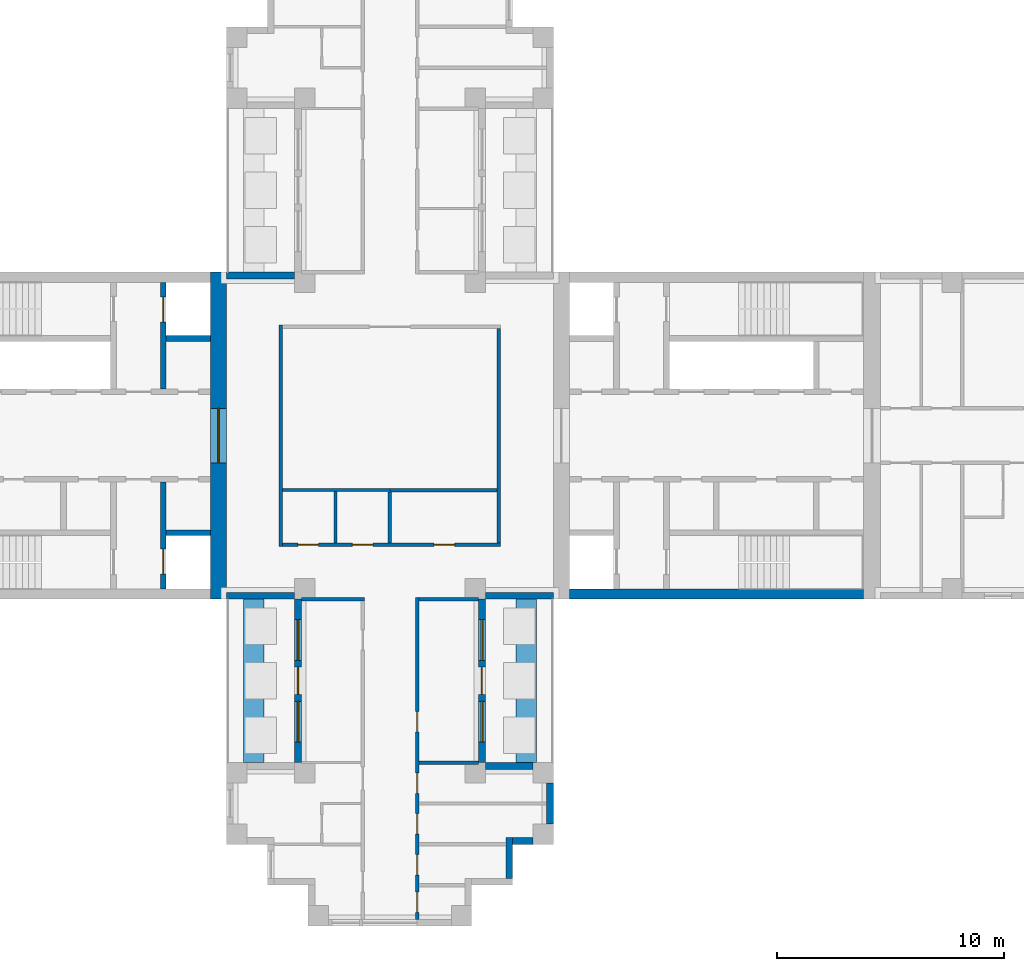
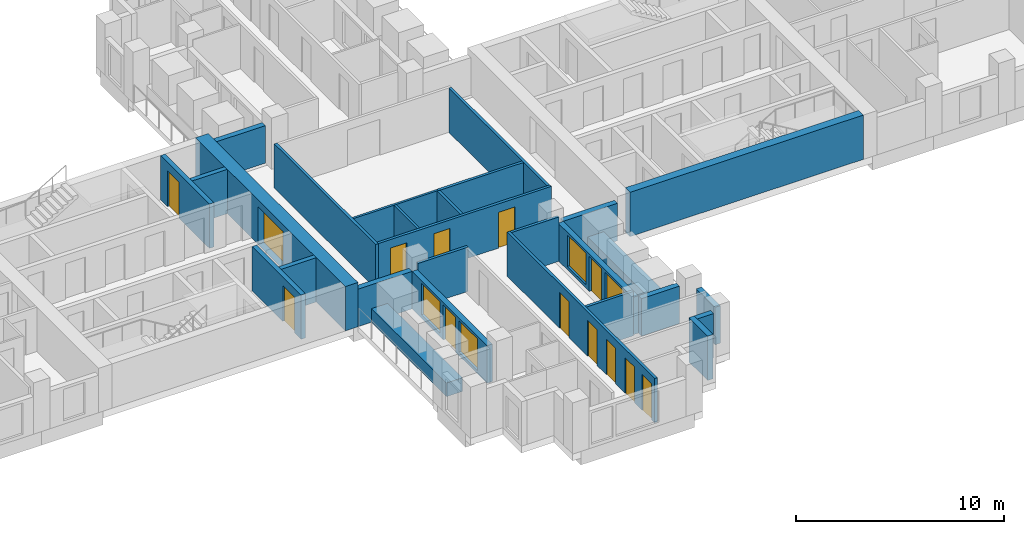
# One storey, part 5 of 11: 28 walls, 13 doors, 4 windows, 17 openings.
"""IFC4 building model written with IfcOpenShell, lengths in metres."""

from ifc_helpers import new_model, si_unit, direction, frame, frame_2d, origin, place, context, subcontext, project, spatial, rectangle, extrude, material, layer, layer_set, type_object, element, fill, save


model = new_model("IFC4")

# Units and contexts
model_context = context("Model", 3, precision=1e-05, world=origin(), true_north=direction((0.0, 1.0)))
body_context = subcontext(model_context, "Body", "Model", "MODEL_VIEW")
ifc_project = project(units=[si_unit("LENGTHUNIT", "METRE"), si_unit("AREAUNIT", "SQUARE_METRE"), si_unit("VOLUMEUNIT", "CUBIC_METRE"), si_unit("PLANEANGLEUNIT", "RADIAN"), si_unit("MASSUNIT", "GRAM", prefix="KILO")], contexts=[model_context])

# Site, building, storey
site_placement = place(None, origin())
site = spatial("IfcSite", under=ifc_project, at=site_placement, CompositionType="ELEMENT")
building_placement = place(site_placement, origin())
building = spatial("IfcBuilding", under=site, at=building_placement, Name="Fustian Cross Tower", CompositionType="ELEMENT")
storey_placement = place(building_placement, frame((0.0, 0.0, 126.300048828125)))
storey = spatial("IfcBuildingStorey", under=building, at=storey_placement, Name="L39", CompositionType="ELEMENT", Elevation=126.300048828125)

# Wall
ifc_material_1 = material(Name="Plasterboard on steel stud", Category="steel")
ifc_layer_1 = layer(ifc_material_1, 0.14990234375)
ifc_layer_set_1 = layer_set([ifc_layer_1], Name="Plasterboard on steel stud")
wall_type_1 = type_object("IfcWallType", Name="COMPARTMENT WALL 150 EI 60", PredefinedType="PARTITIONING", material=ifc_layer_set_1)
wall_1_placement = place(storey_placement, frame((-4.800048828125, -4.875, 0.0), z_axis=(0.0, 0.0, 1.0), x_axis=(0.0, 1.0, 0.0)))
element("IfcWall", 1, at=wall_1_placement, inside=storey, type_object=wall_type_1, Name="Partition 17", PredefinedType="PARTITIONING", context=body_context, shape_type="SweptSolid", body=[
    extrude(rectangle(XDim=9.75, YDim=0.14990234375, at=frame_2d((4.875, 0.0))), origin(), (0.0, 0.0, 1.0), 2.599853515625),
])

# Wall, openings, doors
wall_2_placement = place(storey_placement, frame((-4.72509765625, -4.800048828125, 0.0), z_axis=(0.0, 0.0, 1.0), x_axis=(1.0, 0.0, 0.0)))
wall_2 = element("IfcWall", 2, at=wall_2_placement, inside=storey, type_object=wall_type_1, Name="Partition 18", PredefinedType="PARTITIONING", context=body_context, shape_type="SweptSolid", body=[
    extrude(rectangle(XDim=9.60009765625, YDim=0.14990234375, at=frame_2d((4.800048828125, 0.0))), origin(), (0.0, 0.0, 1.0), 2.599853515625),
])
opening_1_placement = place(wall_2_placement, frame((0.675048828125, 0.0, 0.0)))
opening_1 = element("IfcOpeningElement", 3, at=opening_1_placement, cuts=wall_2, Name="Opening D18001", PredefinedType="OPENING", context=body_context, shape_type="SweptSolid", body=[
    extrude(rectangle(XDim=0.89990234375, YDim=2.10009765625, at=frame_2d((0.449951171875, 1.050048828125))), frame((0.0, 0.0849609375, 0.0), z_axis=(0.0, -1.0, 0.0), x_axis=(1.0, 0.0, 0.0)), (0.0, 0.0, 1.0), 0.169921875),
])
opening_2_placement = place(wall_2_placement, frame((3.074951171875, 0.0, 0.0)))
opening_2 = element("IfcOpeningElement", 4, at=opening_2_placement, cuts=wall_2, Name="Opening D18002", PredefinedType="OPENING", context=body_context, shape_type="SweptSolid", body=[
    extrude(rectangle(XDim=0.89990234375, YDim=2.10009765625, at=frame_2d((0.449951171875, 1.050048828125))), frame((0.0, 0.0849609375, 0.0), z_axis=(0.0, -1.0, 0.0), x_axis=(1.0, 0.0, 0.0)), (0.0, 0.0, 1.0), 0.169921875),
])
opening_3_placement = place(wall_2_placement, frame((6.675048828125, 0.0, 0.0)))
opening_3 = element("IfcOpeningElement", 5, at=opening_3_placement, cuts=wall_2, Name="Opening D18003", PredefinedType="OPENING", context=body_context, shape_type="SweptSolid", body=[
    extrude(rectangle(XDim=0.89990234375, YDim=2.10009765625, at=frame_2d((0.449951171875, 1.050048828125))), frame((0.0, 0.0849609375, 0.0), z_axis=(0.0, -1.0, 0.0), x_axis=(1.0, 0.0, 0.0)), (0.0, 0.0, 1.0), 0.169921875),
])
ifc_material_2 = material(Name="Timber fire door set", Category="wood")
door_type_1 = type_object("IfcDoorType", Name="FIRE SWING DOOR 900 FD30S", OperationType="SINGLE_SWING_LEFT", PredefinedType="DOOR", material=ifc_material_2)
door_1_placement = place(opening_1_placement, origin())
door_1 = element("IfcDoor", 6, at=door_1_placement, inside=storey, type_object=door_type_1, Name="Door D18001", OperationType="SINGLE_SWING_LEFT", OverallHeight=2.10009765625, OverallWidth=0.89990234375, PredefinedType="DOOR", context=body_context, shape_type="SweptSolid", body=[
    extrude(rectangle(XDim=0.89990234375, YDim=2.10009765625, at=frame_2d((0.449951171875, 1.050048828125))), frame((0.0, 0.02490234375, 0.0), z_axis=(0.0, -1.0, 0.0), x_axis=(1.0, 0.0, 0.0)), (0.0, 0.0, 1.0), 0.050048828125),
])
fill(opening_1, door_1)
door_2_placement = place(opening_2_placement, origin())
door_2 = element("IfcDoor", 7, at=door_2_placement, inside=storey, type_object=door_type_1, Name="Door D18002", OperationType="SINGLE_SWING_LEFT", OverallHeight=2.10009765625, OverallWidth=0.89990234375, PredefinedType="DOOR", context=body_context, shape_type="SweptSolid", body=[
    extrude(rectangle(XDim=0.89990234375, YDim=2.10009765625, at=frame_2d((0.449951171875, 1.050048828125))), frame((0.0, 0.02490234375, 0.0), z_axis=(0.0, -1.0, 0.0), x_axis=(1.0, 0.0, 0.0)), (0.0, 0.0, 1.0), 0.050048828125),
])
fill(opening_2, door_2)
door_3_placement = place(opening_3_placement, origin())
door_3 = element("IfcDoor", 8, at=door_3_placement, inside=storey, type_object=door_type_1, Name="Door D18003", OperationType="SINGLE_SWING_LEFT", OverallHeight=2.10009765625, OverallWidth=0.89990234375, PredefinedType="DOOR", context=body_context, shape_type="SweptSolid", body=[
    extrude(rectangle(XDim=0.89990234375, YDim=2.10009765625, at=frame_2d((0.449951171875, 1.050048828125))), frame((0.0, 0.02490234375, 0.0), z_axis=(0.0, -1.0, 0.0), x_axis=(1.0, 0.0, 0.0)), (0.0, 0.0, 1.0), 0.050048828125),
])
fill(opening_3, door_3)

# Walls
wall_3_placement = place(storey_placement, frame((-3.89990234375, -7.199951171875, 0.0), z_axis=(0.0, 0.0, 1.0), x_axis=(1.0, 0.0, 0.0)))
element("IfcWall", 9, at=wall_3_placement, inside=storey, type_object=wall_type_1, Name="Partition 22", PredefinedType="PARTITIONING", context=body_context, shape_type="SweptSolid", body=[
    extrude(rectangle(XDim=2.77490234375, YDim=0.14990234375, at=frame_2d((1.387451171875, 0.0))), origin(), (0.0, 0.0, 1.0), 2.599853515625),
])
wall_4_placement = place(storey_placement, frame((0.0, -4.72509765625, 0.0), z_axis=(0.0, 0.0, 1.0), x_axis=(0.0, 1.0, 0.0)))
element("IfcWall", 10, at=wall_4_placement, inside=storey, type_object=wall_type_1, Name="Partition 34", PredefinedType="PARTITIONING", context=body_context, shape_type="SweptSolid", body=[
    extrude(rectangle(XDim=2.25, YDim=0.14990234375, at=frame_2d((1.125, 0.0))), origin(), (0.0, 0.0, 1.0), 2.599853515625),
])
wall_5_placement = place(storey_placement, frame((0.0, -2.39990234375, 0.0), z_axis=(0.0, 0.0, 1.0), x_axis=(1.0, 0.0, 0.0)))
element("IfcWall", 11, at=wall_5_placement, inside=storey, type_object=wall_type_1, Name="Partition 35", PredefinedType="PARTITIONING", context=body_context, shape_type="SweptSolid", body=[
    extrude(rectangle(XDim=4.72509765625, YDim=0.14990234375, at=frame_2d((2.362548828125, 0.0))), origin(), (0.0, 0.0, 1.0), 2.599853515625),
])

# Wall, openings, doors
wall_6_placement = place(storey_placement, frame((1.199951171875, -21.300048828125, 0.0), z_axis=(0.0, 0.0, 1.0), x_axis=(0.0, 1.0, 0.0)))
wall_6 = element("IfcWall", 12, at=wall_6_placement, inside=storey, type_object=wall_type_1, Name="Partition 36", PredefinedType="PARTITIONING", context=body_context, shape_type="SweptSolid", body=[
    extrude(rectangle(XDim=14.175048828125, YDim=0.14990234375, at=frame_2d((7.08740234375, 0.0))), origin(), (0.0, 0.0, 1.0), 2.599853515625),
])
opening_4_placement = place(wall_6_placement, frame((8.25, 0.0, 0.0)))
opening_4 = element("IfcOpeningElement", 13, at=opening_4_placement, cuts=wall_6, Name="Opening D18033", PredefinedType="OPENING", context=body_context, shape_type="SweptSolid", body=[
    extrude(rectangle(XDim=0.89990234375, YDim=2.10009765625, at=frame_2d((0.449951171875, 1.050048828125))), frame((0.0, 0.0849609375, 0.0), z_axis=(0.0, -1.0, 0.0), x_axis=(1.0, 0.0, 0.0)), (0.0, 0.0, 1.0), 0.169921875),
])
opening_5_placement = place(wall_6_placement, frame((5.550048828125, 0.0, 0.0)))
opening_5 = element("IfcOpeningElement", 14, at=opening_5_placement, cuts=wall_6, Name="Opening D18034", PredefinedType="OPENING", context=body_context, shape_type="SweptSolid", body=[
    extrude(rectangle(XDim=0.89990234375, YDim=2.10009765625, at=frame_2d((0.449951171875, 1.050048828125))), frame((0.0, 0.0849609375, 0.0), z_axis=(0.0, -1.0, 0.0), x_axis=(1.0, 0.0, 0.0)), (0.0, 0.0, 1.0), 0.169921875),
])
opening_6_placement = place(wall_6_placement, frame((3.75, 0.0, 0.0)))
opening_6 = element("IfcOpeningElement", 15, at=opening_6_placement, cuts=wall_6, Name="Opening D18035", PredefinedType="OPENING", context=body_context, shape_type="SweptSolid", body=[
    extrude(rectangle(XDim=0.89990234375, YDim=2.10009765625, at=frame_2d((0.449951171875, 1.050048828125))), frame((0.0, 0.0849609375, 0.0), z_axis=(0.0, -1.0, 0.0), x_axis=(1.0, 0.0, 0.0)), (0.0, 0.0, 1.0), 0.169921875),
])
opening_7_placement = place(wall_6_placement, frame((1.949951171875, 0.0, 0.0)))
opening_7 = element("IfcOpeningElement", 16, at=opening_7_placement, cuts=wall_6, Name="Opening D18036", PredefinedType="OPENING", context=body_context, shape_type="SweptSolid", body=[
    extrude(rectangle(XDim=0.89990234375, YDim=2.10009765625, at=frame_2d((0.449951171875, 1.050048828125))), frame((0.0, 0.0849609375, 0.0), z_axis=(0.0, -1.0, 0.0), x_axis=(1.0, 0.0, 0.0)), (0.0, 0.0, 1.0), 0.169921875),
])
opening_8_placement = place(wall_6_placement, frame((0.300048828125, 0.0, 0.0)))
opening_8 = element("IfcOpeningElement", 17, at=opening_8_placement, cuts=wall_6, Name="Opening D18037", PredefinedType="OPENING", context=body_context, shape_type="SweptSolid", body=[
    extrude(rectangle(XDim=0.89990234375, YDim=2.10009765625, at=frame_2d((0.449951171875, 1.050048828125))), frame((0.0, 0.0849609375, 0.0), z_axis=(0.0, -1.0, 0.0), x_axis=(1.0, 0.0, 0.0)), (0.0, 0.0, 1.0), 0.169921875),
])
door_4_placement = place(opening_4_placement, frame((0.89990234375, 0.0, 0.0), z_axis=(0.0, 0.0, 1.0), x_axis=(-1.0, 0.0, 0.0)))
door_4 = element("IfcDoor", 18, at=door_4_placement, inside=storey, type_object=door_type_1, Name="Door D18033", OperationType="SINGLE_SWING_RIGHT", OverallHeight=2.10009765625, OverallWidth=0.89990234375, PredefinedType="DOOR", context=body_context, shape_type="SweptSolid", body=[
    extrude(rectangle(XDim=0.89990234375, YDim=2.10009765625, at=frame_2d((0.449951171875, 1.050048828125))), frame((0.0, 0.02490234375, 0.0), z_axis=(0.0, -1.0, 0.0), x_axis=(1.0, 0.0, 0.0)), (0.0, 0.0, 1.0), 0.050048828125),
])
fill(opening_4, door_4)
door_5_placement = place(opening_5_placement, origin())
door_5 = element("IfcDoor", 19, at=door_5_placement, inside=storey, type_object=door_type_1, Name="Door D18034", OperationType="SINGLE_SWING_LEFT", OverallHeight=2.10009765625, OverallWidth=0.89990234375, PredefinedType="DOOR", context=body_context, shape_type="SweptSolid", body=[
    extrude(rectangle(XDim=0.89990234375, YDim=2.10009765625, at=frame_2d((0.449951171875, 1.050048828125))), frame((0.0, 0.02490234375, 0.0), z_axis=(0.0, -1.0, 0.0), x_axis=(1.0, 0.0, 0.0)), (0.0, 0.0, 1.0), 0.050048828125),
])
fill(opening_5, door_5)
door_6_placement = place(opening_6_placement, frame((0.89990234375, 0.0, 0.0), z_axis=(0.0, 0.0, 1.0), x_axis=(-1.0, 0.0, 0.0)))
door_6 = element("IfcDoor", 20, at=door_6_placement, inside=storey, type_object=door_type_1, Name="Door D18035", OperationType="SINGLE_SWING_LEFT", OverallHeight=2.10009765625, OverallWidth=0.89990234375, PredefinedType="DOOR", context=body_context, shape_type="SweptSolid", body=[
    extrude(rectangle(XDim=0.89990234375, YDim=2.10009765625, at=frame_2d((0.449951171875, 1.050048828125))), frame((0.0, 0.02490234375, 0.0), z_axis=(0.0, -1.0, 0.0), x_axis=(1.0, 0.0, 0.0)), (0.0, 0.0, 1.0), 0.050048828125),
])
fill(opening_6, door_6)
door_7_placement = place(opening_7_placement, frame((0.89990234375, 0.0, 0.0), z_axis=(0.0, 0.0, 1.0), x_axis=(-1.0, 0.0, 0.0)))
door_7 = element("IfcDoor", 21, at=door_7_placement, inside=storey, type_object=door_type_1, Name="Door D18036", OperationType="SINGLE_SWING_LEFT", OverallHeight=2.10009765625, OverallWidth=0.89990234375, PredefinedType="DOOR", context=body_context, shape_type="SweptSolid", body=[
    extrude(rectangle(XDim=0.89990234375, YDim=2.10009765625, at=frame_2d((0.449951171875, 1.050048828125))), frame((0.0, 0.02490234375, 0.0), z_axis=(0.0, -1.0, 0.0), x_axis=(1.0, 0.0, 0.0)), (0.0, 0.0, 1.0), 0.050048828125),
])
fill(opening_7, door_7)
door_8_placement = place(opening_8_placement, frame((0.89990234375, 0.0, 0.0), z_axis=(0.0, 0.0, 1.0), x_axis=(-1.0, 0.0, 0.0)))
door_8 = element("IfcDoor", 22, at=door_8_placement, inside=storey, type_object=door_type_1, Name="Door D18037", OperationType="SINGLE_SWING_RIGHT", OverallHeight=2.10009765625, OverallWidth=0.89990234375, PredefinedType="DOOR", context=body_context, shape_type="SweptSolid", body=[
    extrude(rectangle(XDim=0.89990234375, YDim=2.10009765625, at=frame_2d((0.449951171875, 1.050048828125))), frame((0.0, 0.02490234375, 0.0), z_axis=(0.0, -1.0, 0.0), x_axis=(1.0, 0.0, 0.0)), (0.0, 0.0, 1.0), 0.050048828125),
])
fill(opening_8, door_8)

# Walls
for number, where, z_axis, x_axis, name in (
    (23, (1.27490234375, -14.39990234375, 0.0), (0.0, 0.0, 1.0), (1.0, 0.0, 0.0), "Partition 40"),
    (24, (1.27490234375, -7.199951171875, 0.0), (0.0, 0.0, 1.0), (1.0, 0.0, 0.0), "Partition 41"),
):
    element("IfcWall", number, at=place(storey_placement, frame(where, z_axis=z_axis, x_axis=x_axis)), inside=storey, type_object=wall_type_1, Name=name, PredefinedType="PARTITIONING", context=body_context, shape_type="SweptSolid", body=[
        extrude(rectangle(XDim=2.625, YDim=0.14990234375, at=frame_2d((1.3125, 0.0))), origin(), (0.0, 0.0, 1.0), 2.599853515625),
    ])
wall_7_placement = place(storey_placement, frame((4.800048828125, -4.72509765625, 0.0), z_axis=(0.0, 0.0, 1.0), x_axis=(0.0, 1.0, 0.0)))
element("IfcWall", 25, at=wall_7_placement, inside=storey, type_object=wall_type_1, Name="Partition 48", PredefinedType="PARTITIONING", context=body_context, shape_type="SweptSolid", body=[
    extrude(rectangle(XDim=9.4501953125, YDim=0.14990234375, at=frame_2d((4.72509765625, 0.0))), origin(), (0.0, 0.0, 1.0), 2.599853515625),
])

# Wall, opening, door
ifc_material_3 = material(Name="Concrete C60/75", Category="concrete")
ifc_layer_2 = layer(ifc_material_3, 0.699951171875)
ifc_layer_set_2 = layer_set([ifc_layer_2], Name="Concrete C60/75")
wall_type_2 = type_object("IfcWallType", Name="CORE END WALL 700 C60/75", PredefinedType="SHEAR", material=ifc_layer_set_2)
wall_8_placement = place(storey_placement, frame((-7.550048828125, -7.199951171875, 0.0), z_axis=(0.0, 0.0, 1.0), x_axis=(0.0, 1.0, 0.0)))
wall_8 = element("IfcWall", 26, at=wall_8_placement, inside=storey, type_object=wall_type_2, Name="Core end wall", PredefinedType="SHEAR", context=body_context, shape_type="SweptSolid", body=[
    extrude(rectangle(XDim=14.39990234375, YDim=0.699951171875, at=frame_2d((7.199951171875, 0.0))), origin(), (0.0, 0.0, 1.0), 2.599853515625),
])
opening_9_placement = place(wall_8_placement, frame((6.0, 0.0, 0.0)))
opening_9 = element("IfcOpeningElement", 27, at=opening_9_placement, cuts=wall_8, Name="Opening CD-16-29", PredefinedType="OPENING", context=body_context, shape_type="SweptSolid", body=[
    extrude(rectangle(XDim=2.39990234375, YDim=2.199951171875, at=frame_2d((1.199951171875, 1.10009765625))), frame((0.0, 0.35986328125, 0.0), z_axis=(0.0, -1.0, 0.0), x_axis=(1.0, 0.0, 0.0)), (0.0, 0.0, 1.0), 0.719970703125),
])
ifc_material_4 = material(Name="Steel", Category="steel")
door_type_2 = type_object("IfcDoorType", Name="FIRE DOOR FD30S DOUBLE 2400X2200", OperationType="DOUBLE_DOOR_DOUBLE_SWING", PredefinedType="DOOR", material=ifc_material_4)
door_9_placement = place(opening_9_placement, origin())
door_9 = element("IfcDoor", 28, at=door_9_placement, inside=storey, type_object=door_type_2, Name="Core door CD-16-29", OperationType="DOUBLE_DOOR_DOUBLE_SWING", OverallHeight=2.199951171875, OverallWidth=2.39990234375, PredefinedType="DOOR", context=body_context, shape_type="SweptSolid", body=[
    extrude(rectangle(XDim=2.39990234375, YDim=2.199951171875, at=frame_2d((1.199951171875, 1.10009765625))), frame((0.0, 0.02490234375, 0.0), z_axis=(0.0, -1.0, 0.0), x_axis=(1.0, 0.0, 0.0)), (0.0, 0.0, 1.0), 0.050048828125),
])
fill(opening_9, door_9)

# Walls
ifc_material_5 = material(Name="Concrete C60/75", Category="concrete")
ifc_layer_3 = layer(ifc_material_5, 0.449951171875)
ifc_layer_set_3 = layer_set([ifc_layer_3], Name="Concrete C60/75")
wall_type_3 = type_object("IfcWallType", Name="CORE FACADE WALL 450 C60/75", PredefinedType="SHEAR", material=ifc_layer_set_3)
wall_9_placement = place(storey_placement, frame((7.89990234375, -6.97509765625, 0.0), z_axis=(0.0, 0.0, 1.0), x_axis=(1.0, 0.0, 0.0)))
element("IfcWall", 29, at=wall_9_placement, inside=storey, type_object=wall_type_3, Name="Core facade wall", PredefinedType="SHEAR", context=body_context, shape_type="SweptSolid", body=[
    extrude(rectangle(XDim=12.9501953125, YDim=0.449951171875, at=frame_2d((6.47509765625, 0.0))), origin(), (0.0, 0.0, 1.0), 2.599853515625),
])
ifc_material_6 = material(Name="Concrete C50/60", Category="concrete")
ifc_layer_4 = layer(ifc_material_6, 0.25)
ifc_layer_set_4 = layer_set([ifc_layer_4], Name="Concrete C50/60")
wall_type_4 = type_object("IfcWallType", Name="CORE SHAFT WALL 250 C50/60", PredefinedType="SHEAR", material=ifc_layer_set_4)
wall_10_placement = place(storey_placement, frame((-7.89990234375, 4.27490234375, 0.0), z_axis=(0.0, 0.0, 1.0), x_axis=(-1.0, 0.0, 0.0)))
element("IfcWall", 30, at=wall_10_placement, inside=storey, type_object=wall_type_4, Name="Core shaft wall", PredefinedType="SHEAR", context=body_context, shape_type="SweptSolid", body=[
    extrude(rectangle(XDim=1.9501953125, YDim=0.25, at=frame_2d((0.97509765625, 0.0))), origin(), (0.0, 0.0, 1.0), 2.599853515625),
])

# Wall, opening, door
wall_11_placement = place(storey_placement, frame((-9.97509765625, 2.050048828125, 0.0), z_axis=(0.0, 0.0, 1.0), x_axis=(0.0, 1.0, 0.0)))
wall_11 = element("IfcWall", 31, at=wall_11_placement, inside=storey, type_object=wall_type_4, Name="Core shaft wall", PredefinedType="SHEAR", context=body_context, shape_type="SweptSolid", body=[
    extrude(rectangle(XDim=4.699951171875, YDim=0.25, at=frame_2d((2.35009765625, 0.0))), origin(), (0.0, 0.0, 1.0), 2.599853515625),
])
opening_10_placement = place(wall_11_placement, frame((2.949951171875, 0.0, 0.0)))
opening_10 = element("IfcOpeningElement", 32, at=opening_10_placement, cuts=wall_11, Name="Opening LD", PredefinedType="OPENING", context=body_context, shape_type="SweptSolid", body=[
    extrude(rectangle(XDim=1.10009765625, YDim=2.10009765625, at=frame_2d((0.550048828125, 1.050048828125))), frame((0.0, 0.135009765625, 0.0), z_axis=(0.0, -1.0, 0.0), x_axis=(1.0, 0.0, 0.0)), (0.0, 0.0, 1.0), 0.27001953125),
])
ifc_material_7 = material(Name="Stainless steel", Category="steel")
door_type_3 = type_object("IfcDoorType", Name="LIFT LANDING DOOR 1100X2100", OperationType="SLIDING_TO_LEFT", PredefinedType="DOOR", material=ifc_material_7)
door_10_placement = place(opening_10_placement, origin())
door_10 = element("IfcDoor", 33, at=door_10_placement, inside=storey, type_object=door_type_3, Name="Landing door FL1W", OperationType="SLIDING_TO_LEFT", OverallHeight=2.10009765625, OverallWidth=1.10009765625, PredefinedType="DOOR", context=body_context, shape_type="SweptSolid", body=[
    extrude(rectangle(XDim=1.10009765625, YDim=2.10009765625, at=frame_2d((0.550048828125, 1.050048828125))), frame((0.0, 0.02490234375, 0.0), z_axis=(0.0, -1.0, 0.0), x_axis=(1.0, 0.0, 0.0)), (0.0, 0.0, 1.0), 0.050048828125),
])
fill(opening_10, door_10)

# Wall
wall_12_placement = place(storey_placement, frame((-7.89990234375, -4.27490234375, 0.0), z_axis=(0.0, 0.0, 1.0), x_axis=(-1.0, 0.0, 0.0)))
element("IfcWall", 34, at=wall_12_placement, inside=storey, type_object=wall_type_4, Name="Core shaft wall", PredefinedType="SHEAR", context=body_context, shape_type="SweptSolid", body=[
    extrude(rectangle(XDim=1.9501953125, YDim=0.25, at=frame_2d((0.97509765625, 0.0))), origin(), (0.0, 0.0, 1.0), 2.599853515625),
])

# Wall, opening, door
wall_13_placement = place(storey_placement, frame((-9.97509765625, -2.050048828125, 0.0), z_axis=(0.0, 0.0, 1.0), x_axis=(0.0, -1.0, 0.0)))
wall_13 = element("IfcWall", 35, at=wall_13_placement, inside=storey, type_object=wall_type_4, Name="Core shaft wall", PredefinedType="SHEAR", context=body_context, shape_type="SweptSolid", body=[
    extrude(rectangle(XDim=4.699951171875, YDim=0.25, at=frame_2d((2.35009765625, 0.0))), origin(), (0.0, 0.0, 1.0), 2.599853515625),
])
opening_11_placement = place(wall_13_placement, frame((2.949951171875, 0.0, 0.0)))
opening_11 = element("IfcOpeningElement", 36, at=opening_11_placement, cuts=wall_13, Name="Opening LD", PredefinedType="OPENING", context=body_context, shape_type="SweptSolid", body=[
    extrude(rectangle(XDim=1.10009765625, YDim=2.10009765625, at=frame_2d((0.550048828125, 1.050048828125))), frame((0.0, 0.135009765625, 0.0), z_axis=(0.0, -1.0, 0.0), x_axis=(1.0, 0.0, 0.0)), (0.0, 0.0, 1.0), 0.27001953125),
])
door_11_placement = place(opening_11_placement, origin())
door_11 = element("IfcDoor", 37, at=door_11_placement, inside=storey, type_object=door_type_3, Name="Landing door SV1W", OperationType="SLIDING_TO_LEFT", OverallHeight=2.10009765625, OverallWidth=1.10009765625, PredefinedType="DOOR", context=body_context, shape_type="SweptSolid", body=[
    extrude(rectangle(XDim=1.10009765625, YDim=2.10009765625, at=frame_2d((0.550048828125, 1.050048828125))), frame((0.0, 0.02490234375, 0.0), z_axis=(0.0, -1.0, 0.0), x_axis=(1.0, 0.0, 0.0)), (0.0, 0.0, 1.0), 0.050048828125),
])
fill(opening_11, door_11)

# Walls
ifc_material_8 = material(Name="Concrete C40/50", Category="concrete")
ifc_layer_5 = layer(ifc_material_8, 0.89990234375)
ifc_layer_set_5 = layer_set([ifc_layer_5], Name="Concrete C40/50")
wall_type_5 = type_object("IfcWallType", Name="PK1 PLANTER 900", PredefinedType="PARAPET", material=ifc_layer_set_5)
for number, where, z_axis, x_axis, name in (
    (38, (6.0, -14.39990234375, 0.0), (0.0, 0.0, 1.0), (0.0, 1.0, 0.0), "PLANTER"),
    (39, (-6.0, -14.39990234375, 0.0), (0.0, 0.0, 1.0), (0.0, 1.0, 0.0), "PLANTER"),
):
    element("IfcWall", number, at=place(storey_placement, frame(where, z_axis=z_axis, x_axis=x_axis)), inside=storey, type_object=wall_type_5, Name=name, PredefinedType="PARAPET", context=body_context, shape_type="SweptSolid", body=[
        extrude(rectangle(XDim=7.199951171875, YDim=0.89990234375, at=frame_2d((3.60009765625, 0.0))), origin(), (0.0, 0.0, 1.0), 0.800048828125),
    ])
ifc_material_9 = material(Name="Plasterboard on steel stud", Category="steel")
ifc_layer_6 = layer(ifc_material_9, 0.125)
ifc_layer_set_6 = layer_set([ifc_layer_6], Name="Plasterboard on steel stud")
wall_type_6 = type_object("IfcWallType", Name="WET WALL 125 STUD", PredefinedType="PARTITIONING", material=ifc_layer_set_6)
wall_14_placement = place(storey_placement, frame((-4.72509765625, -2.39990234375, 0.0), z_axis=(0.0, 0.0, 1.0), x_axis=(1.0, 0.0, 0.0)))
element("IfcWall", 40, at=wall_14_placement, inside=storey, type_object=wall_type_6, Name="Partition 19", PredefinedType="PARTITIONING", context=body_context, shape_type="SweptSolid", body=[
    extrude(rectangle(XDim=4.72509765625, YDim=0.125, at=frame_2d((2.362548828125, 0.0))), origin(), (0.0, 0.0, 1.0), 2.599853515625),
])
wall_15_placement = place(storey_placement, frame((-2.39990234375, -4.72509765625, 0.0), z_axis=(0.0, 0.0, 1.0), x_axis=(0.0, 1.0, 0.0)))
element("IfcWall", 41, at=wall_15_placement, inside=storey, type_object=wall_type_6, Name="Partition 31", PredefinedType="PARTITIONING", context=body_context, shape_type="SweptSolid", body=[
    extrude(rectangle(XDim=2.2626953125, YDim=0.125, at=frame_2d((1.13134765625, 0.0))), origin(), (0.0, 0.0, 1.0), 2.599853515625),
])
ifc_material_10 = material(Name="Dark aluminium cladding on insulated backing wall", Category="aluminium")
ifc_layer_7 = layer(ifc_material_10, 0.300048828125)
ifc_layer_set_7 = layer_set([ifc_layer_7], Name="Dark aluminium cladding on insulated backing wall")
wall_type_7 = type_object("IfcWallType", Name="XW1 EXTERNAL WALL 300", PredefinedType="SOLIDWALL", material=ifc_layer_set_7)
for number, where, z_axis, x_axis, name in (
    (42, (-4.199951171875, 7.050048828125, 0.0), (0.0, 0.0, 1.0), (-1.0, 0.0, 0.0), "External wall"),
    (43, (-7.199951171875, -7.050048828125, 0.0), (0.0, 0.0, 1.0), (1.0, 0.0, 0.0), "External wall"),
):
    element("IfcWall", number, at=place(storey_placement, frame(where, z_axis=z_axis, x_axis=x_axis)), inside=storey, type_object=wall_type_7, Name=name, PredefinedType="SOLIDWALL", context=body_context, shape_type="SweptSolid", body=[
        extrude(rectangle(XDim=3.0, YDim=0.300048828125, at=frame_2d((1.5, 0.0))), origin(), (0.0, 0.0, 1.0), 2.199951171875),
    ])

# Wall, openings, door, windows
wall_16_placement = place(storey_placement, frame((-4.050048828125, -7.199951171875, 0.0), z_axis=(0.0, 0.0, 1.0), x_axis=(0.0, -1.0, 0.0)))
wall_16 = element("IfcWall", 44, at=wall_16_placement, inside=storey, type_object=wall_type_7, Name="External wall", PredefinedType="SOLIDWALL", context=body_context, shape_type="SweptSolid", body=[
    extrude(rectangle(XDim=7.199951171875, YDim=0.300048828125, at=frame_2d((3.60009765625, 0.0))), origin(), (0.0, 0.0, 1.0), 2.199951171875),
])
opening_12_placement = place(wall_16_placement, frame((3.0, 0.0, 0.0)))
opening_12 = element("IfcOpeningElement", 45, at=opening_12_placement, cuts=wall_16, Name="Opening XD4", PredefinedType="OPENING", context=body_context, shape_type="SweptSolid", body=[
    extrude(rectangle(XDim=1.199951171875, YDim=2.050048828125, at=frame_2d((0.60009765625, 1.02490234375))), frame((0.0, 0.159912109375, 0.0), z_axis=(0.0, -1.0, 0.0), x_axis=(1.0, 0.0, 0.0)), (0.0, 0.0, 1.0), 0.320068359375),
])
opening_13_placement = place(wall_16_placement, frame((0.89990234375, 0.0, 0.199951171875)))
opening_13 = element("IfcOpeningElement", 46, at=opening_13_placement, cuts=wall_16, Name="Opening WN2", PredefinedType="OPENING", context=body_context, shape_type="SweptSolid", body=[
    extrude(rectangle(XDim=1.800048828125, YDim=1.85009765625, at=frame_2d((0.89990234375, 0.925048828125))), frame((0.0, 0.159912109375, 0.0), z_axis=(0.0, -1.0, 0.0), x_axis=(1.0, 0.0, 0.0)), (0.0, 0.0, 1.0), 0.320068359375),
])
opening_14_placement = place(wall_16_placement, frame((4.5, 0.0, 0.199951171875)))
opening_14 = element("IfcOpeningElement", 47, at=opening_14_placement, cuts=wall_16, Name="Opening WN2", PredefinedType="OPENING", context=body_context, shape_type="SweptSolid", body=[
    extrude(rectangle(XDim=1.800048828125, YDim=1.85009765625, at=frame_2d((0.89990234375, 0.925048828125))), frame((0.0, 0.159912109375, 0.0), z_axis=(0.0, -1.0, 0.0), x_axis=(1.0, 0.0, 0.0)), (0.0, 0.0, 1.0), 0.320068359375),
])
ifc_material_11 = material(Name="Dark anodised aluminium and double glazing", Category="aluminium")
door_type_4 = type_object("IfcDoorType", Name="ED1 BALCONY DOOR 1200X2050", OperationType="SINGLE_SWING_LEFT", PredefinedType="DOOR", material=ifc_material_11)
door_12_placement = place(opening_12_placement, origin())
door_12 = element("IfcDoor", 48, at=door_12_placement, inside=storey, type_object=door_type_4, Name="Balcony door", OperationType="SINGLE_SWING_LEFT", OverallHeight=2.050048828125, OverallWidth=1.199951171875, PredefinedType="DOOR", context=body_context, shape_type="SweptSolid", body=[
    extrude(rectangle(XDim=1.199951171875, YDim=2.050048828125, at=frame_2d((0.60009765625, 1.02490234375))), frame((0.0, 0.02490234375, 0.0), z_axis=(0.0, -1.0, 0.0), x_axis=(1.0, 0.0, 0.0)), (0.0, 0.0, 1.0), 0.050048828125),
])
fill(opening_12, door_12)
ifc_material_12 = material(Name="Dark anodised aluminium and double glazing", Category="aluminium")
window_type = type_object("IfcWindowType", Name="WN2 WINDOW 1800X1850", PartitioningType="SINGLE_PANEL", PredefinedType="WINDOW", material=ifc_material_12)
window_1_placement = place(opening_13_placement, origin())
window_1 = element("IfcWindow", 49, at=window_1_placement, inside=storey, type_object=window_type, Name="Window", OverallHeight=1.85009765625, OverallWidth=1.800048828125, PartitioningType="SINGLE_PANEL", PredefinedType="WINDOW", context=body_context, shape_type="SweptSolid", body=[
    extrude(rectangle(XDim=1.800048828125, YDim=1.85009765625, at=frame_2d((0.89990234375, 0.925048828125))), frame((0.0, 0.030029296875, 0.0), z_axis=(0.0, -1.0, 0.0), x_axis=(1.0, 0.0, 0.0)), (0.0, 0.0, 1.0), 0.06005859375),
])
fill(opening_13, window_1)
window_2_placement = place(opening_14_placement, origin())
window_2 = element("IfcWindow", 50, at=window_2_placement, inside=storey, type_object=window_type, Name="Window", OverallHeight=1.85009765625, OverallWidth=1.800048828125, PartitioningType="SINGLE_PANEL", PredefinedType="WINDOW", context=body_context, shape_type="SweptSolid", body=[
    extrude(rectangle(XDim=1.800048828125, YDim=1.85009765625, at=frame_2d((0.89990234375, 0.925048828125))), frame((0.0, 0.030029296875, 0.0), z_axis=(0.0, -1.0, 0.0), x_axis=(1.0, 0.0, 0.0)), (0.0, 0.0, 1.0), 0.06005859375),
])
fill(opening_14, window_2)

# Walls
wall_17_placement = place(storey_placement, frame((5.25, -19.5, 0.0), z_axis=(0.0, 0.0, 1.0), x_axis=(0.0, 1.0, 0.0)))
element("IfcWall", 51, at=wall_17_placement, inside=storey, type_object=wall_type_7, Name="External wall", PredefinedType="SOLIDWALL", context=body_context, shape_type="SweptSolid", body=[
    extrude(rectangle(XDim=1.800048828125, YDim=0.300048828125, at=frame_2d((0.89990234375, 0.0))), origin(), (0.0, 0.0, 1.0), 2.599853515625),
])
wall_18_placement = place(storey_placement, frame((5.39990234375, -17.85009765625, 0.0), z_axis=(0.0, 0.0, 1.0), x_axis=(1.0, 0.0, 0.0)))
element("IfcWall", 52, at=wall_18_placement, inside=storey, type_object=wall_type_7, Name="External wall", PredefinedType="SOLIDWALL", context=body_context, shape_type="SweptSolid", body=[
    extrude(rectangle(XDim=0.900146484375, YDim=0.300048828125, at=frame_2d((0.4501953125, 0.0))), origin(), (0.0, 0.0, 1.0), 2.599853515625),
])
wall_19_placement = place(storey_placement, frame((7.050048828125, -17.10009765625, 0.0), z_axis=(0.0, 0.0, 1.0), x_axis=(0.0, 1.0, 0.0)))
element("IfcWall", 53, at=wall_19_placement, inside=storey, type_object=wall_type_7, Name="External wall", PredefinedType="SOLIDWALL", context=body_context, shape_type="SweptSolid", body=[
    extrude(rectangle(XDim=1.800048828125, YDim=0.300048828125, at=frame_2d((0.89990234375, 0.0))), origin(), (0.0, 0.0, 1.0), 2.199951171875),
])
wall_20_placement = place(storey_placement, frame((6.300048828125, -14.550048828125, 0.0), z_axis=(0.0, 0.0, 1.0), x_axis=(-1.0, 0.0, 0.0)))
element("IfcWall", 54, at=wall_20_placement, inside=storey, type_object=wall_type_7, Name="External wall", PredefinedType="SOLIDWALL", context=body_context, shape_type="SweptSolid", body=[
    extrude(rectangle(XDim=2.10009765625, YDim=0.300048828125, at=frame_2d((1.050048828125, 0.0))), origin(), (0.0, 0.0, 1.0), 2.199951171875),
])

# Wall, openings, door, windows
wall_21_placement = place(storey_placement, frame((4.050048828125, -14.39990234375, 0.0), z_axis=(0.0, 0.0, 1.0), x_axis=(0.0, 1.0, 0.0)))
wall_21 = element("IfcWall", 55, at=wall_21_placement, inside=storey, type_object=wall_type_7, Name="External wall", PredefinedType="SOLIDWALL", context=body_context, shape_type="SweptSolid", body=[
    extrude(rectangle(XDim=7.199951171875, YDim=0.300048828125, at=frame_2d((3.60009765625, 0.0))), origin(), (0.0, 0.0, 1.0), 2.199951171875),
])
opening_15_placement = place(wall_21_placement, frame((3.0, 0.0, 0.0)))
opening_15 = element("IfcOpeningElement", 56, at=opening_15_placement, cuts=wall_21, Name="Opening XD3", PredefinedType="OPENING", context=body_context, shape_type="SweptSolid", body=[
    extrude(rectangle(XDim=1.199951171875, YDim=2.050048828125, at=frame_2d((0.60009765625, 1.02490234375))), frame((0.0, 0.159912109375, 0.0), z_axis=(0.0, -1.0, 0.0), x_axis=(1.0, 0.0, 0.0)), (0.0, 0.0, 1.0), 0.320068359375),
])
opening_16_placement = place(wall_21_placement, frame((0.89990234375, 0.0, 0.199951171875)))
opening_16 = element("IfcOpeningElement", 57, at=opening_16_placement, cuts=wall_21, Name="Opening WN2", PredefinedType="OPENING", context=body_context, shape_type="SweptSolid", body=[
    extrude(rectangle(XDim=1.800048828125, YDim=1.85009765625, at=frame_2d((0.89990234375, 0.925048828125))), frame((0.0, 0.159912109375, 0.0), z_axis=(0.0, -1.0, 0.0), x_axis=(1.0, 0.0, 0.0)), (0.0, 0.0, 1.0), 0.320068359375),
])
opening_17_placement = place(wall_21_placement, frame((4.5, 0.0, 0.199951171875)))
opening_17 = element("IfcOpeningElement", 58, at=opening_17_placement, cuts=wall_21, Name="Opening WN2", PredefinedType="OPENING", context=body_context, shape_type="SweptSolid", body=[
    extrude(rectangle(XDim=1.800048828125, YDim=1.85009765625, at=frame_2d((0.89990234375, 0.925048828125))), frame((0.0, 0.159912109375, 0.0), z_axis=(0.0, -1.0, 0.0), x_axis=(1.0, 0.0, 0.0)), (0.0, 0.0, 1.0), 0.320068359375),
])
door_13_placement = place(opening_15_placement, origin())
door_13 = element("IfcDoor", 59, at=door_13_placement, inside=storey, type_object=door_type_4, Name="Balcony door", OperationType="SINGLE_SWING_LEFT", OverallHeight=2.050048828125, OverallWidth=1.199951171875, PredefinedType="DOOR", context=body_context, shape_type="SweptSolid", body=[
    extrude(rectangle(XDim=1.199951171875, YDim=2.050048828125, at=frame_2d((0.60009765625, 1.02490234375))), frame((0.0, 0.02490234375, 0.0), z_axis=(0.0, -1.0, 0.0), x_axis=(1.0, 0.0, 0.0)), (0.0, 0.0, 1.0), 0.050048828125),
])
fill(opening_15, door_13)
window_3_placement = place(opening_16_placement, origin())
window_3 = element("IfcWindow", 60, at=window_3_placement, inside=storey, type_object=window_type, Name="Window", OverallHeight=1.85009765625, OverallWidth=1.800048828125, PartitioningType="SINGLE_PANEL", PredefinedType="WINDOW", context=body_context, shape_type="SweptSolid", body=[
    extrude(rectangle(XDim=1.800048828125, YDim=1.85009765625, at=frame_2d((0.89990234375, 0.925048828125))), frame((0.0, 0.030029296875, 0.0), z_axis=(0.0, -1.0, 0.0), x_axis=(1.0, 0.0, 0.0)), (0.0, 0.0, 1.0), 0.06005859375),
])
fill(opening_16, window_3)
window_4_placement = place(opening_17_placement, origin())
window_4 = element("IfcWindow", 61, at=window_4_placement, inside=storey, type_object=window_type, Name="Window", OverallHeight=1.85009765625, OverallWidth=1.800048828125, PartitioningType="SINGLE_PANEL", PredefinedType="WINDOW", context=body_context, shape_type="SweptSolid", body=[
    extrude(rectangle(XDim=1.800048828125, YDim=1.85009765625, at=frame_2d((0.89990234375, 0.925048828125))), frame((0.0, 0.030029296875, 0.0), z_axis=(0.0, -1.0, 0.0), x_axis=(1.0, 0.0, 0.0)), (0.0, 0.0, 1.0), 0.06005859375),
])
fill(opening_17, window_4)

# Wall
wall_22_placement = place(storey_placement, frame((4.199951171875, -7.050048828125, 0.0), z_axis=(0.0, 0.0, 1.0), x_axis=(1.0, 0.0, 0.0)))
element("IfcWall", 62, at=wall_22_placement, inside=storey, type_object=wall_type_7, Name="External wall", PredefinedType="SOLIDWALL", context=body_context, shape_type="SweptSolid", body=[
    extrude(rectangle(XDim=3.0, YDim=0.300048828125, at=frame_2d((1.5, 0.0))), origin(), (0.0, 0.0, 1.0), 2.199951171875),
])

save(model, "model.ifc")
